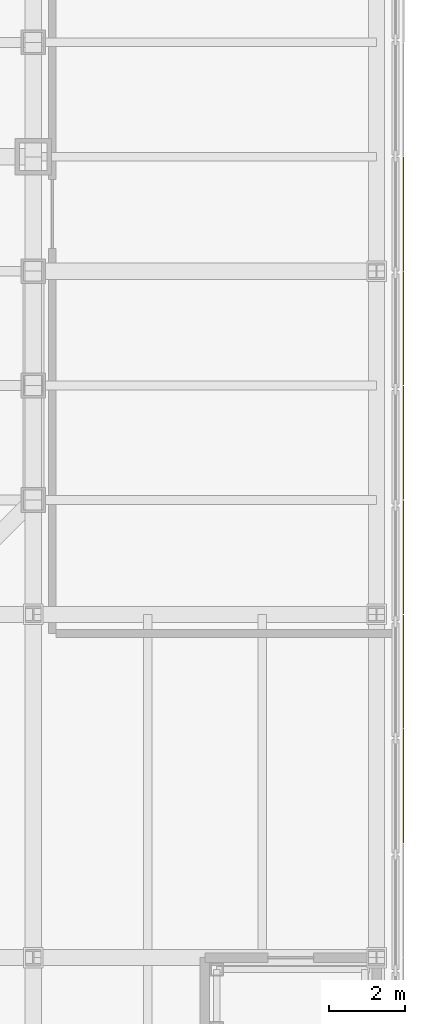
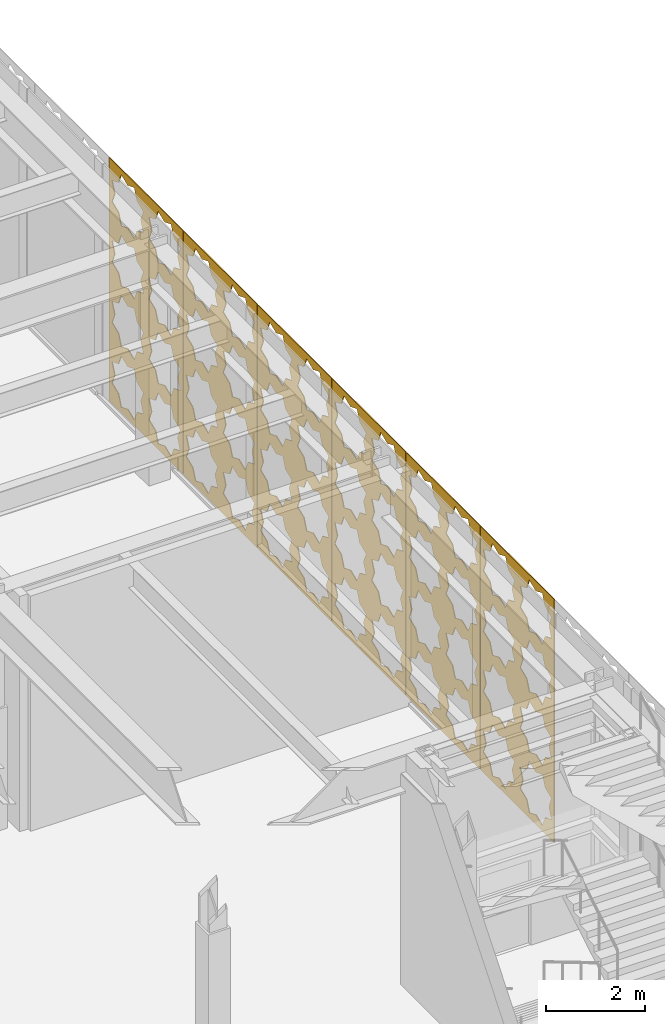
# One storey, part 30 of 32: 6 shading devices.
"""IFC4 building model written with IfcOpenShell, lengths in metres."""

from ifc_helpers import new_model, si_unit, direction, frame, origin, place, context, subcontext, project, spatial, polyline, outline, extrude, material, layer, layer_set, type_object, element, save


model = new_model("IFC4")

# Units and contexts
model_context = context("Model", 3, precision=1e-05, world=origin(), true_north=direction((0.0, 1.0)))
body_context = subcontext(model_context, "Body", "Model", "MODEL_VIEW")
ifc_project = project(units=[si_unit("LENGTHUNIT", "METRE"), si_unit("AREAUNIT", "SQUARE_METRE"), si_unit("VOLUMEUNIT", "CUBIC_METRE"), si_unit("PLANEANGLEUNIT", "RADIAN"), si_unit("MASSUNIT", "GRAM", prefix="KILO")], contexts=[model_context])

# Site, building, storey
site_placement = place(None, origin())
site = spatial("IfcSite", under=ifc_project, at=site_placement, CompositionType="ELEMENT")
building_placement = place(site_placement, origin())
building = spatial("IfcBuilding", under=site, at=building_placement, Name="Chuquiago Exchange Tower", CompositionType="ELEMENT")
storey_placement = place(building_placement, frame((0.0, 0.0, 13.5)))
storey = spatial("IfcBuildingStorey", under=building, at=storey_placement, Name="L02", CompositionType="ELEMENT", Elevation=13.5)

# Shading devices
ifc_material = material(Name="Pale metal, perforated in an eight-point star pattern", Category="aluminium")
ifc_layer = layer(ifc_material, 0.02001953125)
ifc_layer_set = layer_set([ifc_layer], Name="SC1 mashrabiya screen 20")
shading_device_type = type_object("IfcShadingDeviceType", Name="SC1 mashrabiya screen 20", PredefinedType="SHUTTER", material=ifc_layer_set)
shading_device_1_placement = place(storey_placement, frame((54.699951171875, -5.989990234375, -0.199951171875), z_axis=(0.0, 0.0, 1.0), x_axis=(0.0, 1.0, 0.0)))
element("IfcShadingDevice", 1, at=shading_device_1_placement, inside=storey, type_object=shading_device_type, Name="Mashrabiya screen L02 E 5", PredefinedType="SHUTTER", context=body_context, shape_type="SweptSolid", body=[
    extrude(outline(polyline([(0.0, 0.0), (2.97998046875, 0.0), (2.97998046875, 6.0), (0.0, 6.0), (0.0, 0.0)]), holes=[polyline([(1.26953125, 0.764892578125), (1.378173828125, 1.02734375), (1.115966796875, 1.135986328125), (1.00732421875, 1.398193359375), (0.7451171875, 1.28955078125), (0.482666015625, 1.398193359375), (0.3740234375, 1.135986328125), (0.11181640625, 1.02734375), (0.220458984375, 0.764892578125), (0.11181640625, 0.502685546875), (0.3740234375, 0.39404296875), (0.482666015625, 0.1318359375), (0.7451171875, 0.240234375), (1.00732421875, 0.1318359375), (1.115966796875, 0.39404296875), (1.378173828125, 0.502685546875), (1.26953125, 0.764892578125)]), polyline([(2.759521484375, 0.764892578125), (2.8681640625, 1.02734375), (2.60595703125, 1.135986328125), (2.497314453125, 1.398193359375), (2.235107421875, 1.28955078125), (1.97265625, 1.398193359375), (1.864013671875, 1.135986328125), (1.601806640625, 1.02734375), (1.71044921875, 0.764892578125), (1.601806640625, 0.502685546875), (1.864013671875, 0.39404296875), (1.97265625, 0.1318359375), (2.235107421875, 0.240234375), (2.497314453125, 0.1318359375), (2.60595703125, 0.39404296875), (2.8681640625, 0.502685546875), (2.759521484375, 0.764892578125)]), polyline([(1.26953125, 2.2548828125), (1.378173828125, 2.517333984375), (1.115966796875, 2.6259765625), (1.00732421875, 2.88818359375), (0.7451171875, 2.779541015625), (0.482666015625, 2.88818359375), (0.3740234375, 2.6259765625), (0.11181640625, 2.517333984375), (0.220458984375, 2.2548828125), (0.11181640625, 1.99267578125), (0.3740234375, 1.884033203125), (0.482666015625, 1.621826171875), (0.7451171875, 1.73046875), (1.00732421875, 1.621826171875), (1.115966796875, 1.884033203125), (1.378173828125, 1.99267578125), (1.26953125, 2.2548828125)]), polyline([(2.759521484375, 2.2548828125), (2.8681640625, 2.517333984375), (2.60595703125, 2.6259765625), (2.497314453125, 2.88818359375), (2.235107421875, 2.779541015625), (1.97265625, 2.88818359375), (1.864013671875, 2.6259765625), (1.601806640625, 2.517333984375), (1.71044921875, 2.2548828125), (1.601806640625, 1.99267578125), (1.864013671875, 1.884033203125), (1.97265625, 1.621826171875), (2.235107421875, 1.73046875), (2.497314453125, 1.621826171875), (2.60595703125, 1.884033203125), (2.8681640625, 1.99267578125), (2.759521484375, 2.2548828125)]), polyline([(1.26953125, 3.744873046875), (1.378173828125, 4.00732421875), (1.115966796875, 4.115966796875), (1.00732421875, 4.378173828125), (0.7451171875, 4.26953125), (0.482666015625, 4.378173828125), (0.3740234375, 4.115966796875), (0.11181640625, 4.00732421875), (0.220458984375, 3.744873046875), (0.11181640625, 3.482666015625), (0.3740234375, 3.3740234375), (0.482666015625, 3.11181640625), (0.7451171875, 3.220458984375), (1.00732421875, 3.11181640625), (1.115966796875, 3.3740234375), (1.378173828125, 3.482666015625), (1.26953125, 3.744873046875)]), polyline([(2.759521484375, 3.744873046875), (2.8681640625, 4.00732421875), (2.60595703125, 4.115966796875), (2.497314453125, 4.378173828125), (2.235107421875, 4.26953125), (1.97265625, 4.378173828125), (1.864013671875, 4.115966796875), (1.601806640625, 4.00732421875), (1.71044921875, 3.744873046875), (1.601806640625, 3.482666015625), (1.864013671875, 3.3740234375), (1.97265625, 3.11181640625), (2.235107421875, 3.220458984375), (2.497314453125, 3.11181640625), (2.60595703125, 3.3740234375), (2.8681640625, 3.482666015625), (2.759521484375, 3.744873046875)]), polyline([(1.26953125, 5.23486328125), (1.378173828125, 5.497314453125), (1.115966796875, 5.60595703125), (1.00732421875, 5.8681640625), (0.7451171875, 5.759521484375), (0.482666015625, 5.8681640625), (0.3740234375, 5.60595703125), (0.11181640625, 5.497314453125), (0.220458984375, 5.23486328125), (0.11181640625, 4.97265625), (0.3740234375, 4.864013671875), (0.482666015625, 4.601806640625), (0.7451171875, 4.71044921875), (1.00732421875, 4.601806640625), (1.115966796875, 4.864013671875), (1.378173828125, 4.97265625), (1.26953125, 5.23486328125)]), polyline([(2.759521484375, 5.23486328125), (2.8681640625, 5.497314453125), (2.60595703125, 5.60595703125), (2.497314453125, 5.8681640625), (2.235107421875, 5.759521484375), (1.97265625, 5.8681640625), (1.864013671875, 5.60595703125), (1.601806640625, 5.497314453125), (1.71044921875, 5.23486328125), (1.601806640625, 4.97265625), (1.864013671875, 4.864013671875), (1.97265625, 4.601806640625), (2.235107421875, 4.71044921875), (2.497314453125, 4.601806640625), (2.60595703125, 4.864013671875), (2.8681640625, 4.97265625), (2.759521484375, 5.23486328125)])]), frame((0.0, 0.0, 0.0), z_axis=(0.0, -1.0, 0.0), x_axis=(1.0, 0.0, 0.0)), (0.0, 0.0, 1.0), 0.02001953125),
])
shading_device_2_placement = place(storey_placement, frame((54.699951171875, -2.989990234375, -0.199951171875), z_axis=(0.0, 0.0, 1.0), x_axis=(0.0, 1.0, 0.0)))
element("IfcShadingDevice", 2, at=shading_device_2_placement, inside=storey, type_object=shading_device_type, Name="Mashrabiya screen L02 E 6", PredefinedType="SHUTTER", context=body_context, shape_type="SweptSolid", body=[
    extrude(outline(polyline([(0.0, 0.0), (2.97998046875, 0.0), (2.97998046875, 6.0), (0.0, 6.0), (0.0, 0.0)]), holes=[polyline([(1.26953125, 0.764892578125), (1.378173828125, 1.02734375), (1.115966796875, 1.135986328125), (1.00732421875, 1.398193359375), (0.7451171875, 1.28955078125), (0.482666015625, 1.398193359375), (0.3740234375, 1.135986328125), (0.11181640625, 1.02734375), (0.220458984375, 0.764892578125), (0.11181640625, 0.502685546875), (0.3740234375, 0.39404296875), (0.482666015625, 0.1318359375), (0.7451171875, 0.240234375), (1.00732421875, 0.1318359375), (1.115966796875, 0.39404296875), (1.378173828125, 0.502685546875), (1.26953125, 0.764892578125)]), polyline([(2.759521484375, 0.764892578125), (2.8681640625, 1.02734375), (2.60595703125, 1.135986328125), (2.497314453125, 1.398193359375), (2.235107421875, 1.28955078125), (1.97265625, 1.398193359375), (1.864013671875, 1.135986328125), (1.601806640625, 1.02734375), (1.71044921875, 0.764892578125), (1.601806640625, 0.502685546875), (1.864013671875, 0.39404296875), (1.97265625, 0.1318359375), (2.235107421875, 0.240234375), (2.497314453125, 0.1318359375), (2.60595703125, 0.39404296875), (2.8681640625, 0.502685546875), (2.759521484375, 0.764892578125)]), polyline([(1.26953125, 2.2548828125), (1.378173828125, 2.517333984375), (1.115966796875, 2.6259765625), (1.00732421875, 2.88818359375), (0.7451171875, 2.779541015625), (0.482666015625, 2.88818359375), (0.3740234375, 2.6259765625), (0.11181640625, 2.517333984375), (0.220458984375, 2.2548828125), (0.11181640625, 1.99267578125), (0.3740234375, 1.884033203125), (0.482666015625, 1.621826171875), (0.7451171875, 1.73046875), (1.00732421875, 1.621826171875), (1.115966796875, 1.884033203125), (1.378173828125, 1.99267578125), (1.26953125, 2.2548828125)]), polyline([(2.759521484375, 2.2548828125), (2.8681640625, 2.517333984375), (2.60595703125, 2.6259765625), (2.497314453125, 2.88818359375), (2.235107421875, 2.779541015625), (1.97265625, 2.88818359375), (1.864013671875, 2.6259765625), (1.601806640625, 2.517333984375), (1.71044921875, 2.2548828125), (1.601806640625, 1.99267578125), (1.864013671875, 1.884033203125), (1.97265625, 1.621826171875), (2.235107421875, 1.73046875), (2.497314453125, 1.621826171875), (2.60595703125, 1.884033203125), (2.8681640625, 1.99267578125), (2.759521484375, 2.2548828125)]), polyline([(1.26953125, 3.744873046875), (1.378173828125, 4.00732421875), (1.115966796875, 4.115966796875), (1.00732421875, 4.378173828125), (0.7451171875, 4.26953125), (0.482666015625, 4.378173828125), (0.3740234375, 4.115966796875), (0.11181640625, 4.00732421875), (0.220458984375, 3.744873046875), (0.11181640625, 3.482666015625), (0.3740234375, 3.3740234375), (0.482666015625, 3.11181640625), (0.7451171875, 3.220458984375), (1.00732421875, 3.11181640625), (1.115966796875, 3.3740234375), (1.378173828125, 3.482666015625), (1.26953125, 3.744873046875)]), polyline([(2.759521484375, 3.744873046875), (2.8681640625, 4.00732421875), (2.60595703125, 4.115966796875), (2.497314453125, 4.378173828125), (2.235107421875, 4.26953125), (1.97265625, 4.378173828125), (1.864013671875, 4.115966796875), (1.601806640625, 4.00732421875), (1.71044921875, 3.744873046875), (1.601806640625, 3.482666015625), (1.864013671875, 3.3740234375), (1.97265625, 3.11181640625), (2.235107421875, 3.220458984375), (2.497314453125, 3.11181640625), (2.60595703125, 3.3740234375), (2.8681640625, 3.482666015625), (2.759521484375, 3.744873046875)]), polyline([(1.26953125, 5.23486328125), (1.378173828125, 5.497314453125), (1.115966796875, 5.60595703125), (1.00732421875, 5.8681640625), (0.7451171875, 5.759521484375), (0.482666015625, 5.8681640625), (0.3740234375, 5.60595703125), (0.11181640625, 5.497314453125), (0.220458984375, 5.23486328125), (0.11181640625, 4.97265625), (0.3740234375, 4.864013671875), (0.482666015625, 4.601806640625), (0.7451171875, 4.71044921875), (1.00732421875, 4.601806640625), (1.115966796875, 4.864013671875), (1.378173828125, 4.97265625), (1.26953125, 5.23486328125)]), polyline([(2.759521484375, 5.23486328125), (2.8681640625, 5.497314453125), (2.60595703125, 5.60595703125), (2.497314453125, 5.8681640625), (2.235107421875, 5.759521484375), (1.97265625, 5.8681640625), (1.864013671875, 5.60595703125), (1.601806640625, 5.497314453125), (1.71044921875, 5.23486328125), (1.601806640625, 4.97265625), (1.864013671875, 4.864013671875), (1.97265625, 4.601806640625), (2.235107421875, 4.71044921875), (2.497314453125, 4.601806640625), (2.60595703125, 4.864013671875), (2.8681640625, 4.97265625), (2.759521484375, 5.23486328125)])]), frame((0.0, 0.0, 0.0), z_axis=(0.0, -1.0, 0.0), x_axis=(1.0, 0.0, 0.0)), (0.0, 0.0, 1.0), 0.02001953125),
])
shading_device_3_placement = place(storey_placement, frame((54.699951171875, 0.010009765625, -0.199951171875), z_axis=(0.0, 0.0, 1.0), x_axis=(0.0, 1.0, 0.0)))
element("IfcShadingDevice", 3, at=shading_device_3_placement, inside=storey, type_object=shading_device_type, Name="Mashrabiya screen L02 E 7", PredefinedType="SHUTTER", context=body_context, shape_type="SweptSolid", body=[
    extrude(outline(polyline([(0.0, 0.0), (2.97998046875, 0.0), (2.97998046875, 6.0), (0.0, 6.0), (0.0, 0.0)]), holes=[polyline([(1.26953125, 0.764892578125), (1.378173828125, 1.02734375), (1.115966796875, 1.135986328125), (1.00732421875, 1.398193359375), (0.7451171875, 1.28955078125), (0.482666015625, 1.398193359375), (0.3740234375, 1.135986328125), (0.11181640625, 1.02734375), (0.220458984375, 0.764892578125), (0.11181640625, 0.502685546875), (0.3740234375, 0.39404296875), (0.482666015625, 0.1318359375), (0.7451171875, 0.240234375), (1.00732421875, 0.1318359375), (1.115966796875, 0.39404296875), (1.378173828125, 0.502685546875), (1.26953125, 0.764892578125)]), polyline([(2.759521484375, 0.764892578125), (2.8681640625, 1.02734375), (2.60595703125, 1.135986328125), (2.497314453125, 1.398193359375), (2.235107421875, 1.28955078125), (1.97265625, 1.398193359375), (1.864013671875, 1.135986328125), (1.601806640625, 1.02734375), (1.71044921875, 0.764892578125), (1.601806640625, 0.502685546875), (1.864013671875, 0.39404296875), (1.97265625, 0.1318359375), (2.235107421875, 0.240234375), (2.497314453125, 0.1318359375), (2.60595703125, 0.39404296875), (2.8681640625, 0.502685546875), (2.759521484375, 0.764892578125)]), polyline([(1.26953125, 2.2548828125), (1.378173828125, 2.517333984375), (1.115966796875, 2.6259765625), (1.00732421875, 2.88818359375), (0.7451171875, 2.779541015625), (0.482666015625, 2.88818359375), (0.3740234375, 2.6259765625), (0.11181640625, 2.517333984375), (0.220458984375, 2.2548828125), (0.11181640625, 1.99267578125), (0.3740234375, 1.884033203125), (0.482666015625, 1.621826171875), (0.7451171875, 1.73046875), (1.00732421875, 1.621826171875), (1.115966796875, 1.884033203125), (1.378173828125, 1.99267578125), (1.26953125, 2.2548828125)]), polyline([(2.759521484375, 2.2548828125), (2.8681640625, 2.517333984375), (2.60595703125, 2.6259765625), (2.497314453125, 2.88818359375), (2.235107421875, 2.779541015625), (1.97265625, 2.88818359375), (1.864013671875, 2.6259765625), (1.601806640625, 2.517333984375), (1.71044921875, 2.2548828125), (1.601806640625, 1.99267578125), (1.864013671875, 1.884033203125), (1.97265625, 1.621826171875), (2.235107421875, 1.73046875), (2.497314453125, 1.621826171875), (2.60595703125, 1.884033203125), (2.8681640625, 1.99267578125), (2.759521484375, 2.2548828125)]), polyline([(1.26953125, 3.744873046875), (1.378173828125, 4.00732421875), (1.115966796875, 4.115966796875), (1.00732421875, 4.378173828125), (0.7451171875, 4.26953125), (0.482666015625, 4.378173828125), (0.3740234375, 4.115966796875), (0.11181640625, 4.00732421875), (0.220458984375, 3.744873046875), (0.11181640625, 3.482666015625), (0.3740234375, 3.3740234375), (0.482666015625, 3.11181640625), (0.7451171875, 3.220458984375), (1.00732421875, 3.11181640625), (1.115966796875, 3.3740234375), (1.378173828125, 3.482666015625), (1.26953125, 3.744873046875)]), polyline([(2.759521484375, 3.744873046875), (2.8681640625, 4.00732421875), (2.60595703125, 4.115966796875), (2.497314453125, 4.378173828125), (2.235107421875, 4.26953125), (1.97265625, 4.378173828125), (1.864013671875, 4.115966796875), (1.601806640625, 4.00732421875), (1.71044921875, 3.744873046875), (1.601806640625, 3.482666015625), (1.864013671875, 3.3740234375), (1.97265625, 3.11181640625), (2.235107421875, 3.220458984375), (2.497314453125, 3.11181640625), (2.60595703125, 3.3740234375), (2.8681640625, 3.482666015625), (2.759521484375, 3.744873046875)]), polyline([(1.26953125, 5.23486328125), (1.378173828125, 5.497314453125), (1.115966796875, 5.60595703125), (1.00732421875, 5.8681640625), (0.7451171875, 5.759521484375), (0.482666015625, 5.8681640625), (0.3740234375, 5.60595703125), (0.11181640625, 5.497314453125), (0.220458984375, 5.23486328125), (0.11181640625, 4.97265625), (0.3740234375, 4.864013671875), (0.482666015625, 4.601806640625), (0.7451171875, 4.71044921875), (1.00732421875, 4.601806640625), (1.115966796875, 4.864013671875), (1.378173828125, 4.97265625), (1.26953125, 5.23486328125)]), polyline([(2.759521484375, 5.23486328125), (2.8681640625, 5.497314453125), (2.60595703125, 5.60595703125), (2.497314453125, 5.8681640625), (2.235107421875, 5.759521484375), (1.97265625, 5.8681640625), (1.864013671875, 5.60595703125), (1.601806640625, 5.497314453125), (1.71044921875, 5.23486328125), (1.601806640625, 4.97265625), (1.864013671875, 4.864013671875), (1.97265625, 4.601806640625), (2.235107421875, 4.71044921875), (2.497314453125, 4.601806640625), (2.60595703125, 4.864013671875), (2.8681640625, 4.97265625), (2.759521484375, 5.23486328125)])]), frame((0.0, 0.0, 0.0), z_axis=(0.0, -1.0, 0.0), x_axis=(1.0, 0.0, 0.0)), (0.0, 0.0, 1.0), 0.02001953125),
])
shading_device_4_placement = place(storey_placement, frame((54.699951171875, 3.010009765625, -0.199951171875), z_axis=(0.0, 0.0, 1.0), x_axis=(0.0, 1.0, 0.0)))
element("IfcShadingDevice", 4, at=shading_device_4_placement, inside=storey, type_object=shading_device_type, Name="Mashrabiya screen L02 E 8", PredefinedType="SHUTTER", context=body_context, shape_type="SweptSolid", body=[
    extrude(outline(polyline([(0.0, 0.0), (2.97998046875, 0.0), (2.97998046875, 6.0), (0.0, 6.0), (0.0, 0.0)]), holes=[polyline([(1.26953125, 0.764892578125), (1.378173828125, 1.02734375), (1.115966796875, 1.135986328125), (1.00732421875, 1.398193359375), (0.7451171875, 1.28955078125), (0.482666015625, 1.398193359375), (0.3740234375, 1.135986328125), (0.11181640625, 1.02734375), (0.220458984375, 0.764892578125), (0.11181640625, 0.502685546875), (0.3740234375, 0.39404296875), (0.482666015625, 0.1318359375), (0.7451171875, 0.240234375), (1.00732421875, 0.1318359375), (1.115966796875, 0.39404296875), (1.378173828125, 0.502685546875), (1.26953125, 0.764892578125)]), polyline([(2.759521484375, 0.764892578125), (2.8681640625, 1.02734375), (2.60595703125, 1.135986328125), (2.497314453125, 1.398193359375), (2.235107421875, 1.28955078125), (1.97265625, 1.398193359375), (1.864013671875, 1.135986328125), (1.601806640625, 1.02734375), (1.71044921875, 0.764892578125), (1.601806640625, 0.502685546875), (1.864013671875, 0.39404296875), (1.97265625, 0.1318359375), (2.235107421875, 0.240234375), (2.497314453125, 0.1318359375), (2.60595703125, 0.39404296875), (2.8681640625, 0.502685546875), (2.759521484375, 0.764892578125)]), polyline([(1.26953125, 2.2548828125), (1.378173828125, 2.517333984375), (1.115966796875, 2.6259765625), (1.00732421875, 2.88818359375), (0.7451171875, 2.779541015625), (0.482666015625, 2.88818359375), (0.3740234375, 2.6259765625), (0.11181640625, 2.517333984375), (0.220458984375, 2.2548828125), (0.11181640625, 1.99267578125), (0.3740234375, 1.884033203125), (0.482666015625, 1.621826171875), (0.7451171875, 1.73046875), (1.00732421875, 1.621826171875), (1.115966796875, 1.884033203125), (1.378173828125, 1.99267578125), (1.26953125, 2.2548828125)]), polyline([(2.759521484375, 2.2548828125), (2.8681640625, 2.517333984375), (2.60595703125, 2.6259765625), (2.497314453125, 2.88818359375), (2.235107421875, 2.779541015625), (1.97265625, 2.88818359375), (1.864013671875, 2.6259765625), (1.601806640625, 2.517333984375), (1.71044921875, 2.2548828125), (1.601806640625, 1.99267578125), (1.864013671875, 1.884033203125), (1.97265625, 1.621826171875), (2.235107421875, 1.73046875), (2.497314453125, 1.621826171875), (2.60595703125, 1.884033203125), (2.8681640625, 1.99267578125), (2.759521484375, 2.2548828125)]), polyline([(1.26953125, 3.744873046875), (1.378173828125, 4.00732421875), (1.115966796875, 4.115966796875), (1.00732421875, 4.378173828125), (0.7451171875, 4.26953125), (0.482666015625, 4.378173828125), (0.3740234375, 4.115966796875), (0.11181640625, 4.00732421875), (0.220458984375, 3.744873046875), (0.11181640625, 3.482666015625), (0.3740234375, 3.3740234375), (0.482666015625, 3.11181640625), (0.7451171875, 3.220458984375), (1.00732421875, 3.11181640625), (1.115966796875, 3.3740234375), (1.378173828125, 3.482666015625), (1.26953125, 3.744873046875)]), polyline([(2.759521484375, 3.744873046875), (2.8681640625, 4.00732421875), (2.60595703125, 4.115966796875), (2.497314453125, 4.378173828125), (2.235107421875, 4.26953125), (1.97265625, 4.378173828125), (1.864013671875, 4.115966796875), (1.601806640625, 4.00732421875), (1.71044921875, 3.744873046875), (1.601806640625, 3.482666015625), (1.864013671875, 3.3740234375), (1.97265625, 3.11181640625), (2.235107421875, 3.220458984375), (2.497314453125, 3.11181640625), (2.60595703125, 3.3740234375), (2.8681640625, 3.482666015625), (2.759521484375, 3.744873046875)]), polyline([(1.26953125, 5.23486328125), (1.378173828125, 5.497314453125), (1.115966796875, 5.60595703125), (1.00732421875, 5.8681640625), (0.7451171875, 5.759521484375), (0.482666015625, 5.8681640625), (0.3740234375, 5.60595703125), (0.11181640625, 5.497314453125), (0.220458984375, 5.23486328125), (0.11181640625, 4.97265625), (0.3740234375, 4.864013671875), (0.482666015625, 4.601806640625), (0.7451171875, 4.71044921875), (1.00732421875, 4.601806640625), (1.115966796875, 4.864013671875), (1.378173828125, 4.97265625), (1.26953125, 5.23486328125)]), polyline([(2.759521484375, 5.23486328125), (2.8681640625, 5.497314453125), (2.60595703125, 5.60595703125), (2.497314453125, 5.8681640625), (2.235107421875, 5.759521484375), (1.97265625, 5.8681640625), (1.864013671875, 5.60595703125), (1.601806640625, 5.497314453125), (1.71044921875, 5.23486328125), (1.601806640625, 4.97265625), (1.864013671875, 4.864013671875), (1.97265625, 4.601806640625), (2.235107421875, 4.71044921875), (2.497314453125, 4.601806640625), (2.60595703125, 4.864013671875), (2.8681640625, 4.97265625), (2.759521484375, 5.23486328125)])]), frame((0.0, 0.0, 0.0), z_axis=(0.0, -1.0, 0.0), x_axis=(1.0, 0.0, 0.0)), (0.0, 0.0, 1.0), 0.02001953125),
])
shading_device_5_placement = place(storey_placement, frame((54.699951171875, 6.010009765625, -0.199951171875), z_axis=(0.0, 0.0, 1.0), x_axis=(0.0, 1.0, 0.0)))
element("IfcShadingDevice", 5, at=shading_device_5_placement, inside=storey, type_object=shading_device_type, Name="Mashrabiya screen L02 E 9", PredefinedType="SHUTTER", context=body_context, shape_type="SweptSolid", body=[
    extrude(outline(polyline([(0.0, 0.0), (2.97998046875, 0.0), (2.97998046875, 6.0), (0.0, 6.0), (0.0, 0.0)]), holes=[polyline([(1.26953125, 0.764892578125), (1.378173828125, 1.02734375), (1.115966796875, 1.135986328125), (1.00732421875, 1.398193359375), (0.7451171875, 1.28955078125), (0.482666015625, 1.398193359375), (0.3740234375, 1.135986328125), (0.11181640625, 1.02734375), (0.220458984375, 0.764892578125), (0.11181640625, 0.502685546875), (0.3740234375, 0.39404296875), (0.482666015625, 0.1318359375), (0.7451171875, 0.240234375), (1.00732421875, 0.1318359375), (1.115966796875, 0.39404296875), (1.378173828125, 0.502685546875), (1.26953125, 0.764892578125)]), polyline([(2.759521484375, 0.764892578125), (2.8681640625, 1.02734375), (2.60595703125, 1.135986328125), (2.497314453125, 1.398193359375), (2.235107421875, 1.28955078125), (1.97265625, 1.398193359375), (1.864013671875, 1.135986328125), (1.601806640625, 1.02734375), (1.71044921875, 0.764892578125), (1.601806640625, 0.502685546875), (1.864013671875, 0.39404296875), (1.97265625, 0.1318359375), (2.235107421875, 0.240234375), (2.497314453125, 0.1318359375), (2.60595703125, 0.39404296875), (2.8681640625, 0.502685546875), (2.759521484375, 0.764892578125)]), polyline([(1.26953125, 2.2548828125), (1.378173828125, 2.517333984375), (1.115966796875, 2.6259765625), (1.00732421875, 2.88818359375), (0.7451171875, 2.779541015625), (0.482666015625, 2.88818359375), (0.3740234375, 2.6259765625), (0.11181640625, 2.517333984375), (0.220458984375, 2.2548828125), (0.11181640625, 1.99267578125), (0.3740234375, 1.884033203125), (0.482666015625, 1.621826171875), (0.7451171875, 1.73046875), (1.00732421875, 1.621826171875), (1.115966796875, 1.884033203125), (1.378173828125, 1.99267578125), (1.26953125, 2.2548828125)]), polyline([(2.759521484375, 2.2548828125), (2.8681640625, 2.517333984375), (2.60595703125, 2.6259765625), (2.497314453125, 2.88818359375), (2.235107421875, 2.779541015625), (1.97265625, 2.88818359375), (1.864013671875, 2.6259765625), (1.601806640625, 2.517333984375), (1.71044921875, 2.2548828125), (1.601806640625, 1.99267578125), (1.864013671875, 1.884033203125), (1.97265625, 1.621826171875), (2.235107421875, 1.73046875), (2.497314453125, 1.621826171875), (2.60595703125, 1.884033203125), (2.8681640625, 1.99267578125), (2.759521484375, 2.2548828125)]), polyline([(1.26953125, 3.744873046875), (1.378173828125, 4.00732421875), (1.115966796875, 4.115966796875), (1.00732421875, 4.378173828125), (0.7451171875, 4.26953125), (0.482666015625, 4.378173828125), (0.3740234375, 4.115966796875), (0.11181640625, 4.00732421875), (0.220458984375, 3.744873046875), (0.11181640625, 3.482666015625), (0.3740234375, 3.3740234375), (0.482666015625, 3.11181640625), (0.7451171875, 3.220458984375), (1.00732421875, 3.11181640625), (1.115966796875, 3.3740234375), (1.378173828125, 3.482666015625), (1.26953125, 3.744873046875)]), polyline([(2.759521484375, 3.744873046875), (2.8681640625, 4.00732421875), (2.60595703125, 4.115966796875), (2.497314453125, 4.378173828125), (2.235107421875, 4.26953125), (1.97265625, 4.378173828125), (1.864013671875, 4.115966796875), (1.601806640625, 4.00732421875), (1.71044921875, 3.744873046875), (1.601806640625, 3.482666015625), (1.864013671875, 3.3740234375), (1.97265625, 3.11181640625), (2.235107421875, 3.220458984375), (2.497314453125, 3.11181640625), (2.60595703125, 3.3740234375), (2.8681640625, 3.482666015625), (2.759521484375, 3.744873046875)]), polyline([(1.26953125, 5.23486328125), (1.378173828125, 5.497314453125), (1.115966796875, 5.60595703125), (1.00732421875, 5.8681640625), (0.7451171875, 5.759521484375), (0.482666015625, 5.8681640625), (0.3740234375, 5.60595703125), (0.11181640625, 5.497314453125), (0.220458984375, 5.23486328125), (0.11181640625, 4.97265625), (0.3740234375, 4.864013671875), (0.482666015625, 4.601806640625), (0.7451171875, 4.71044921875), (1.00732421875, 4.601806640625), (1.115966796875, 4.864013671875), (1.378173828125, 4.97265625), (1.26953125, 5.23486328125)]), polyline([(2.759521484375, 5.23486328125), (2.8681640625, 5.497314453125), (2.60595703125, 5.60595703125), (2.497314453125, 5.8681640625), (2.235107421875, 5.759521484375), (1.97265625, 5.8681640625), (1.864013671875, 5.60595703125), (1.601806640625, 5.497314453125), (1.71044921875, 5.23486328125), (1.601806640625, 4.97265625), (1.864013671875, 4.864013671875), (1.97265625, 4.601806640625), (2.235107421875, 4.71044921875), (2.497314453125, 4.601806640625), (2.60595703125, 4.864013671875), (2.8681640625, 4.97265625), (2.759521484375, 5.23486328125)])]), frame((0.0, 0.0, 0.0), z_axis=(0.0, -1.0, 0.0), x_axis=(1.0, 0.0, 0.0)), (0.0, 0.0, 1.0), 0.02001953125),
])
shading_device_6_placement = place(storey_placement, frame((54.699951171875, 9.010009765625, -0.199951171875), z_axis=(0.0, 0.0, 1.0), x_axis=(0.0, 1.0, 0.0)))
element("IfcShadingDevice", 6, at=shading_device_6_placement, inside=storey, type_object=shading_device_type, Name="Mashrabiya screen L02 E 10", PredefinedType="SHUTTER", context=body_context, shape_type="SweptSolid", body=[
    extrude(outline(polyline([(0.0, 0.0), (2.97998046875, 0.0), (2.97998046875, 6.0), (0.0, 6.0), (0.0, 0.0)]), holes=[polyline([(1.26953125, 0.764892578125), (1.378173828125, 1.02734375), (1.115966796875, 1.135986328125), (1.00732421875, 1.398193359375), (0.7451171875, 1.28955078125), (0.482666015625, 1.398193359375), (0.3740234375, 1.135986328125), (0.11181640625, 1.02734375), (0.220458984375, 0.764892578125), (0.11181640625, 0.502685546875), (0.3740234375, 0.39404296875), (0.482666015625, 0.1318359375), (0.7451171875, 0.240234375), (1.00732421875, 0.1318359375), (1.115966796875, 0.39404296875), (1.378173828125, 0.502685546875), (1.26953125, 0.764892578125)]), polyline([(2.759521484375, 0.764892578125), (2.8681640625, 1.02734375), (2.60595703125, 1.135986328125), (2.497314453125, 1.398193359375), (2.235107421875, 1.28955078125), (1.97265625, 1.398193359375), (1.864013671875, 1.135986328125), (1.601806640625, 1.02734375), (1.71044921875, 0.764892578125), (1.601806640625, 0.502685546875), (1.864013671875, 0.39404296875), (1.97265625, 0.1318359375), (2.235107421875, 0.240234375), (2.497314453125, 0.1318359375), (2.60595703125, 0.39404296875), (2.8681640625, 0.502685546875), (2.759521484375, 0.764892578125)]), polyline([(1.26953125, 2.2548828125), (1.378173828125, 2.517333984375), (1.115966796875, 2.6259765625), (1.00732421875, 2.88818359375), (0.7451171875, 2.779541015625), (0.482666015625, 2.88818359375), (0.3740234375, 2.6259765625), (0.11181640625, 2.517333984375), (0.220458984375, 2.2548828125), (0.11181640625, 1.99267578125), (0.3740234375, 1.884033203125), (0.482666015625, 1.621826171875), (0.7451171875, 1.73046875), (1.00732421875, 1.621826171875), (1.115966796875, 1.884033203125), (1.378173828125, 1.99267578125), (1.26953125, 2.2548828125)]), polyline([(2.759521484375, 2.2548828125), (2.8681640625, 2.517333984375), (2.60595703125, 2.6259765625), (2.497314453125, 2.88818359375), (2.235107421875, 2.779541015625), (1.97265625, 2.88818359375), (1.864013671875, 2.6259765625), (1.601806640625, 2.517333984375), (1.71044921875, 2.2548828125), (1.601806640625, 1.99267578125), (1.864013671875, 1.884033203125), (1.97265625, 1.621826171875), (2.235107421875, 1.73046875), (2.497314453125, 1.621826171875), (2.60595703125, 1.884033203125), (2.8681640625, 1.99267578125), (2.759521484375, 2.2548828125)]), polyline([(1.26953125, 3.744873046875), (1.378173828125, 4.00732421875), (1.115966796875, 4.115966796875), (1.00732421875, 4.378173828125), (0.7451171875, 4.26953125), (0.482666015625, 4.378173828125), (0.3740234375, 4.115966796875), (0.11181640625, 4.00732421875), (0.220458984375, 3.744873046875), (0.11181640625, 3.482666015625), (0.3740234375, 3.3740234375), (0.482666015625, 3.11181640625), (0.7451171875, 3.220458984375), (1.00732421875, 3.11181640625), (1.115966796875, 3.3740234375), (1.378173828125, 3.482666015625), (1.26953125, 3.744873046875)]), polyline([(2.759521484375, 3.744873046875), (2.8681640625, 4.00732421875), (2.60595703125, 4.115966796875), (2.497314453125, 4.378173828125), (2.235107421875, 4.26953125), (1.97265625, 4.378173828125), (1.864013671875, 4.115966796875), (1.601806640625, 4.00732421875), (1.71044921875, 3.744873046875), (1.601806640625, 3.482666015625), (1.864013671875, 3.3740234375), (1.97265625, 3.11181640625), (2.235107421875, 3.220458984375), (2.497314453125, 3.11181640625), (2.60595703125, 3.3740234375), (2.8681640625, 3.482666015625), (2.759521484375, 3.744873046875)]), polyline([(1.26953125, 5.23486328125), (1.378173828125, 5.497314453125), (1.115966796875, 5.60595703125), (1.00732421875, 5.8681640625), (0.7451171875, 5.759521484375), (0.482666015625, 5.8681640625), (0.3740234375, 5.60595703125), (0.11181640625, 5.497314453125), (0.220458984375, 5.23486328125), (0.11181640625, 4.97265625), (0.3740234375, 4.864013671875), (0.482666015625, 4.601806640625), (0.7451171875, 4.71044921875), (1.00732421875, 4.601806640625), (1.115966796875, 4.864013671875), (1.378173828125, 4.97265625), (1.26953125, 5.23486328125)]), polyline([(2.759521484375, 5.23486328125), (2.8681640625, 5.497314453125), (2.60595703125, 5.60595703125), (2.497314453125, 5.8681640625), (2.235107421875, 5.759521484375), (1.97265625, 5.8681640625), (1.864013671875, 5.60595703125), (1.601806640625, 5.497314453125), (1.71044921875, 5.23486328125), (1.601806640625, 4.97265625), (1.864013671875, 4.864013671875), (1.97265625, 4.601806640625), (2.235107421875, 4.71044921875), (2.497314453125, 4.601806640625), (2.60595703125, 4.864013671875), (2.8681640625, 4.97265625), (2.759521484375, 5.23486328125)])]), frame((0.0, 0.0, 0.0), z_axis=(0.0, -1.0, 0.0), x_axis=(1.0, 0.0, 0.0)), (0.0, 0.0, 1.0), 0.02001953125),
])

save(model, "model.ifc")
